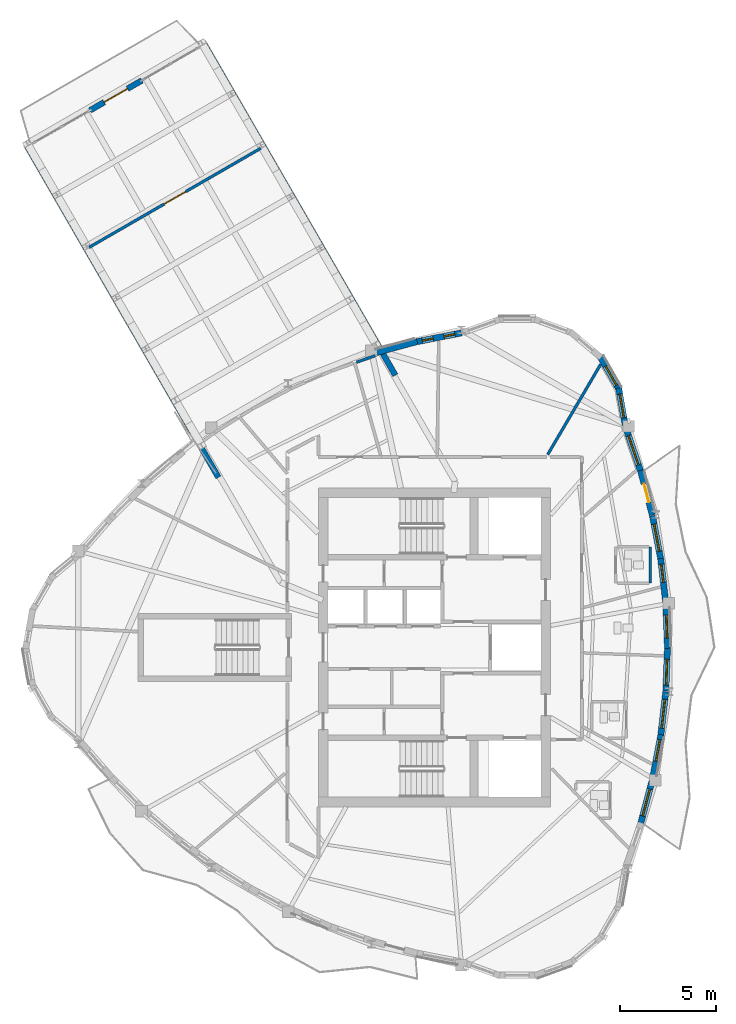
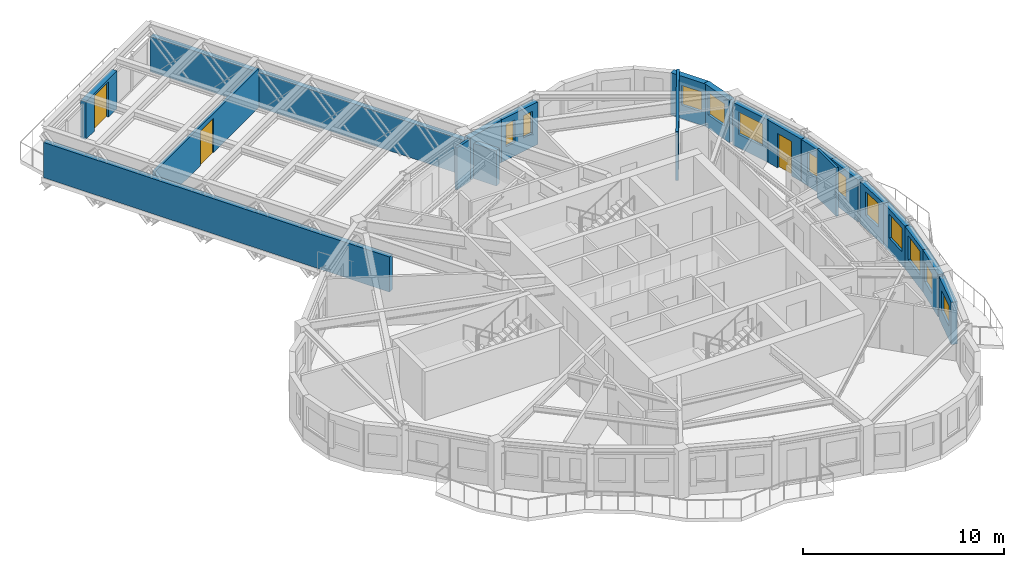
# One storey, part 9 of 14: 20 walls, 12 windows, 3 doors, 15 openings.
"""IFC4 building model written with IfcOpenShell, lengths in metres."""

from ifc_helpers import new_model, si_unit, direction, frame, frame_2d, origin, place, context, subcontext, project, spatial, rectangle, extrude, source, transform, mapped, material, layer, layer_set, type_object, element, fill, save


model = new_model("IFC4")

# Units and contexts
model_context = context("Model", 3, precision=1e-05, world=origin(), true_north=direction((0.0, 1.0)))
body_context = subcontext(model_context, "Body", "Model", "MODEL_VIEW")
ifc_project = project(units=[si_unit("LENGTHUNIT", "METRE"), si_unit("AREAUNIT", "SQUARE_METRE"), si_unit("VOLUMEUNIT", "CUBIC_METRE"), si_unit("PLANEANGLEUNIT", "RADIAN"), si_unit("MASSUNIT", "GRAM", prefix="KILO")], contexts=[model_context])

# Site, building, storey
site_placement = place(None, origin())
site = spatial("IfcSite", under=ifc_project, at=site_placement, CompositionType="ELEMENT")
building_placement = place(site_placement, origin())
building = spatial("IfcBuilding", under=site, at=building_placement, Name="Qafzar Sky-Pleat Residences", CompositionType="ELEMENT")
storey_placement = place(building_placement, frame((0.0, 0.0, 211.60009765625)))
storey = spatial("IfcBuildingStorey", under=building, at=storey_placement, Name="L63", CompositionType="ELEMENT", Elevation=211.60009765625)

# Wall, opening, door
ifc_material_1 = material(Name="Acoustic gypsum plasterboard partition", Category="gypsum")
ifc_layer_1 = layer(ifc_material_1, 0.14501953125)
ifc_layer_set_1 = layer_set([ifc_layer_1], Name="Acoustic gypsum plasterboard partition")
wall_type_1 = type_object("IfcWallType", Name="PART-UNIT-145", PredefinedType="PARTITIONING", material=ifc_layer_set_1)
wall_1_placement = place(storey_placement, frame((12.3583984375, 46.83837890625, 0.0), z_axis=(0.0, 0.0, 1.0), x_axis=(0.866032792327, 0.499987202451, 0.0)))
wall_1 = element("IfcWall", 1, at=wall_1_placement, inside=storey, type_object=wall_type_1, Name="L63 Partition Wall PART-L63-PW-001", PredefinedType="PARTITIONING", context=body_context, shape_type="SweptSolid", body=[
    extrude(rectangle(XDim=10.323974609375, YDim=0.14501953125, at=frame_2d((5.162109375, 0.0))), origin(), (0.0, 0.0, 1.0), 2.3828125),
])
opening_1_placement = place(wall_1_placement, frame((4.511474609375, 0.0, 0.0)))
opening_1 = element("IfcOpeningElement", 2, at=opening_1_placement, cuts=wall_1, Name="Opening ID-05", PredefinedType="OPENING", context=body_context, shape_type="SweptSolid", body=[
    extrude(rectangle(XDim=1.300048828125, YDim=2.10009765625, at=frame_2d((0.64990234375, 1.050048828125))), frame((0.0, 0.08251953125, 0.0), z_axis=(0.0, -1.0, 0.0), x_axis=(1.0, 0.0, 0.0)), (0.0, 0.0, 1.0), 0.1650390625),
])
ifc_material_2 = material(Name="Timber-faced fire door", Category="wood")
door_type_1 = type_object("IfcDoorType", Name="DR-LNG-1300", OperationType="DOUBLE_DOOR_SINGLE_SWING", PredefinedType="DOOR", material=ifc_material_2)
shared_shape_1 = source(origin(), body_context, "Body", "SweptSolid", [
    extrude(rectangle(XDim=1.300048828125, YDim=2.10009765625, at=frame_2d((0.64990234375, 1.050048828125))), frame((0.0, 0.02490234375, 0.0), z_axis=(0.0, -1.0, 0.0), x_axis=(1.0, 0.0, 0.0)), (0.0, 0.0, 1.0), 0.050048828125),
])
door_1_placement = place(opening_1_placement, origin())
door_1 = element("IfcDoor", 3, at=door_1_placement, inside=storey, type_object=door_type_1, Name="L63 Panorama Sky Lounge Door", OperationType="DOUBLE_DOOR_SINGLE_SWING", OverallHeight=2.10009765625, OverallWidth=1.300048828125, PredefinedType="DOOR", context=body_context, shape_type="MappedRepresentation", body=[
    mapped(shared_shape_1, transform((0.0, 0.0, 0.0), x_axis=(1.0, 0.0, 0.0), y_axis=(0.0, 1.0, 0.0), z_axis=(0.0, 0.0, 1.0), scale=1.0)),
])
fill(opening_1, door_1)

# Walls
wall_2_placement = place(storey_placement, frame((36.242431640625, 36.043701171875, 0.0), z_axis=(0.0, 0.0, 1.0), x_axis=(0.50599508157, 0.862536362959, 0.0)))
element("IfcWall", 4, at=wall_2_placement, inside=storey, type_object=wall_type_1, Name="L63 Partition Wall PART-L63-PW-021", PredefinedType="PARTITIONING", context=body_context, shape_type="SweptSolid", body=[
    extrude(rectangle(XDim=5.4560546875, YDim=0.14501953125, at=frame_2d((2.72802734375, 0.0))), origin(), (0.0, 0.0, 1.0), 2.9599609375),
])
wall_3_placement = place(storey_placement, frame((26.28662109375, 40.85595703125, 0.0), z_axis=(0.0, 0.0, 1.0), x_axis=(0.944089421658, 0.329689496214, 0.0)))
element("IfcWall", 5, at=wall_3_placement, inside=storey, type_object=wall_type_1, Name="L63 Partition Wall PART-L63-PW-048", PredefinedType="PARTITIONING", context=body_context, shape_type="SweptSolid", body=[
    extrude(rectangle(XDim=1.03662109375, YDim=0.14501953125, at=frame_2d((0.518310546875, 0.0))), origin(), (0.0, 0.0, 1.0), 2.56787109375),
])
ifc_material_3 = material(Name="Moisture-resistant gypsum partition", Category="gypsum")
ifc_layer_2 = layer(ifc_material_3, 0.1298828125)
ifc_layer_set_2 = layer_set([ifc_layer_2], Name="Moisture-resistant gypsum partition")
wall_type_2 = type_object("IfcWallType", Name="PART-WET-130", PredefinedType="PARTITIONING", material=ifc_layer_set_2)
wall_4_placement = place(storey_placement, frame((41.594970703125, 29.343994140625, 0.0), z_axis=(0.0, 0.0, 1.0), x_axis=(0.0, 1.0, 0.0)))
element("IfcWall", 6, at=wall_4_placement, inside=storey, type_object=wall_type_2, Name="L63 Partition Wall PART-L63-PW-033", PredefinedType="PARTITIONING", context=body_context, shape_type="SweptSolid", body=[
    extrude(rectangle(XDim=1.89990234375, YDim=0.1298828125, at=frame_2d((0.949951171875, 0.0))), origin(), (0.0, 0.0, 1.0), 2.9599609375),
])
ifc_material_4 = material(Name="Precast concrete C40/50 with honed Riyadh limestone", Category="concrete")
ifc_layer_3 = layer(ifc_material_4, 0.300048828125)
ifc_layer_set_3 = layer_set([ifc_layer_3], Name="Precast concrete C40/50 with honed Riyadh limestone")
wall_type_3 = type_object("IfcWallType", Name="WALL-EXT-300", PredefinedType="SOLIDWALL", material=ifc_layer_set_3)
for number, where, z_axis, x_axis, name in (
    (7, (19.0927734375, 34.858154296875, 0.0), (0.0, 0.0, 1.0), (-0.499994279776, 0.866028706332, 0.0), "L63 SB-5 Side Spandrel Wall L"),
    (8, (28.307373046875, 40.177978515625, 0.0), (0.0, 0.0, 1.0), (-0.500003467681, 0.866023401709, 0.0), "L63 SB-5 Side Spandrel Wall R"),
):
    element("IfcWall", number, at=place(storey_placement, frame(where, z_axis=z_axis, x_axis=x_axis)), inside=storey, type_object=wall_type_3, Name=name, PredefinedType="SOLIDWALL", context=body_context, shape_type="SweptSolid", body=[
        extrude(rectangle(XDim=19.928955078125, YDim=0.300048828125, at=frame_2d((9.96435546875, 0.0))), origin(), (0.0, 0.0, 1.0), 2.139892578125),
    ])

# Wall, opening, door
wall_5_placement = place(storey_placement, frame((12.399658203125, 53.97119140625, 0.0), z_axis=(0.0, 0.0, 1.0), x_axis=(0.866043546354, 0.499968574831, 0.0)))
wall_5 = element("IfcWall", 9, at=wall_5_placement, inside=storey, type_object=wall_type_3, Name="L63 SB-5 Prow Portal Wall", PredefinedType="SOLIDWALL", context=body_context, shape_type="SweptSolid", body=[
    extrude(rectangle(XDim=3.119873046875, YDim=0.300048828125, at=frame_2d((1.56005859375, 0.0))), origin(), (0.0, 0.0, 1.0), 2.2998046875),
])
opening_2_placement = place(wall_5_placement, frame((0.860107421875, 0.0, 0.0)))
opening_2 = element("IfcOpeningElement", 10, at=opening_2_placement, cuts=wall_5, Name="Opening ED-07", PredefinedType="OPENING", context=body_context, shape_type="SweptSolid", body=[
    extrude(rectangle(XDim=1.39990234375, YDim=2.14990234375, at=frame_2d((0.699951171875, 1.074951171875))), frame((0.0, 0.16015625, 0.0), z_axis=(0.0, -1.0, 0.0), x_axis=(1.0, 0.0, 0.0)), (0.0, 0.0, 1.0), 0.320068359375),
])
ifc_material_5 = material(Name="Glazed bronze aluminium door", Category="aluminium")
door_type_2 = type_object("IfcDoorType", Name="DR-SB-1400", OperationType="DOUBLE_DOOR_SINGLE_SWING", PredefinedType="DOOR", material=ifc_material_5)
shared_shape_2 = source(origin(), body_context, "Body", "SweptSolid", [
    extrude(rectangle(XDim=1.39990234375, YDim=2.14990234375, at=frame_2d((0.699951171875, 1.074951171875))), frame((0.0, 0.02490234375, 0.0), z_axis=(0.0, -1.0, 0.0), x_axis=(1.0, 0.0, 0.0)), (0.0, 0.0, 1.0), 0.050048828125),
])
door_2_placement = place(opening_2_placement, origin())
door_2 = element("IfcDoor", 11, at=door_2_placement, inside=storey, type_object=door_type_2, Name="L63 SB-5 Tip Balcony Glazed Door", OperationType="DOUBLE_DOOR_SINGLE_SWING", OverallHeight=2.14990234375, OverallWidth=1.39990234375, PredefinedType="DOOR", context=body_context, shape_type="MappedRepresentation", body=[
    mapped(shared_shape_2, transform((0.0, 0.0, 0.0), x_axis=(1.0, 0.0, 0.0), y_axis=(0.0, 1.0, 0.0), z_axis=(0.0, 0.0, 1.0), scale=1.0)),
])
fill(opening_2, door_2)

# Wall, opening, window
ifc_layer_4 = layer(ifc_material_4, 0.320068359375)
ifc_layer_set_4 = layer_set([ifc_layer_4], Name="Precast concrete C40/50 with honed Riyadh limestone")
wall_type_4 = type_object("IfcWallType", Name="WALL-EXT-320", PredefinedType="SOLIDWALL", material=ifc_layer_set_4)
wall_6_placement = place(storey_placement, frame((41.076171875, 16.786376953125, 0.0), z_axis=(0.0, 0.0, 1.0), x_axis=(0.257037260973, 0.966401493413, 0.0)))
wall_6 = element("IfcWall", 12, at=wall_6_placement, inside=storey, type_object=wall_type_4, Name="L63 Limestone Facade Wall 24", PredefinedType="SOLIDWALL", context=body_context, shape_type="SweptSolid", body=[
    extrude(rectangle(XDim=2.332763671875, YDim=0.320068359375, at=frame_2d((1.16650390625, 0.0))), origin(), (0.0, 0.0, 1.0), 2.579833984375),
])
opening_3_placement = place(wall_6_placement, frame((0.4462890625, 0.0, 0.820068359375)))
opening_3 = element("IfcOpeningElement", 13, at=opening_3_placement, cuts=wall_6, Name="Opening WN-15", PredefinedType="OPENING", context=body_context, shape_type="SweptSolid", body=[
    extrude(rectangle(XDim=1.449951171875, YDim=1.25, at=frame_2d((0.72509765625, 0.625))), frame((0.0, 0.169921875, 0.0), z_axis=(0.0, -1.0, 0.0), x_axis=(1.0, 0.0, 0.0)), (0.0, 0.0, 1.0), 0.340087890625),
])
ifc_material_6 = material(Name="Solar-control low-E glass in bronze aluminium frame", Category="glass")
window_type_1 = type_object("IfcWindowType", Name="WIN-15", PartitioningType="SINGLE_PANEL", PredefinedType="WINDOW", material=ifc_material_6)
shared_shape_3 = source(origin(), body_context, "Body", "SweptSolid", [
    extrude(rectangle(XDim=1.449951171875, YDim=1.25, at=frame_2d((0.72509765625, 0.625))), frame((0.0, 0.030029296875, 0.0), z_axis=(0.0, -1.0, 0.0), x_axis=(1.0, 0.0, 0.0)), (0.0, 0.0, 1.0), 0.06005859375),
])
window_1_placement = place(opening_3_placement, origin())
window_1 = element("IfcWindow", 14, at=window_1_placement, inside=storey, type_object=window_type_1, Name="L63 Punched Facade Window 24", OverallHeight=1.25, OverallWidth=1.449951171875, PartitioningType="SINGLE_PANEL", PredefinedType="WINDOW", context=body_context, shape_type="MappedRepresentation", body=[
    mapped(shared_shape_3, transform((0.0, 0.0, 0.0), x_axis=(1.0, 0.0, 0.0), y_axis=(0.0, 1.0, 0.0), z_axis=(0.0, 0.0, 1.0), scale=1.0)),
])
fill(opening_3, window_1)

wall_7_placement = place(storey_placement, frame((41.713134765625, 19.204833984375, 0.0), z_axis=(0.0, 0.0, 1.0), x_axis=(0.186691464441, 0.982418595663, 0.0)))
wall_7 = element("IfcWall", 15, at=wall_7_placement, inside=storey, type_object=wall_type_4, Name="L63 Limestone Facade Wall 25", PredefinedType="SOLIDWALL", context=body_context, shape_type="SweptSolid", body=[
    extrude(rectangle(XDim=2.293701171875, YDim=0.320068359375, at=frame_2d((1.14697265625, 0.0))), origin(), (0.0, 0.0, 1.0), 2.579833984375),
])
opening_4_placement = place(wall_7_placement, frame((0.880126953125, 0.0, 0.820068359375)))
opening_4 = element("IfcOpeningElement", 16, at=opening_4_placement, cuts=wall_7, Name="Opening WN-16", PredefinedType="OPENING", context=body_context, shape_type="SweptSolid", body=[
    extrude(rectangle(XDim=1.14990234375, YDim=1.199951171875, at=frame_2d((0.574951171875, 0.60009765625))), frame((0.0, 0.169921875, 0.0), z_axis=(0.0, -1.0, 0.0), x_axis=(1.0, 0.0, 0.0)), (0.0, 0.0, 1.0), 0.340087890625),
])
window_type_2 = type_object("IfcWindowType", Name="WIN-16", PartitioningType="SINGLE_PANEL", PredefinedType="WINDOW", material=ifc_material_6)
shared_shape_4 = source(origin(), body_context, "Body", "SweptSolid", [
    extrude(rectangle(XDim=1.14990234375, YDim=1.199951171875, at=frame_2d((0.574951171875, 0.60009765625))), frame((0.0, 0.030029296875, 0.0), z_axis=(0.0, -1.0, 0.0), x_axis=(1.0, 0.0, 0.0)), (0.0, 0.0, 1.0), 0.06005859375),
])
window_2_placement = place(opening_4_placement, origin())
window_2 = element("IfcWindow", 17, at=window_2_placement, inside=storey, type_object=window_type_2, Name="L63 Punched Facade Window 25-2", OverallHeight=1.199951171875, OverallWidth=1.14990234375, PartitioningType="SINGLE_PANEL", PredefinedType="WINDOW", context=body_context, shape_type="MappedRepresentation", body=[
    mapped(shared_shape_4, transform((0.0, 0.0, 0.0), x_axis=(1.0, 0.0, 0.0), y_axis=(0.0, 1.0, 0.0), z_axis=(0.0, 0.0, 1.0), scale=1.0)),
])
fill(opening_4, window_2)

wall_8_placement = place(storey_placement, frame((42.128173828125, 21.371337890625, 0.0), z_axis=(0.0, 0.0, 1.0), x_axis=(0.113319777802, 0.993558567956, 0.0)))
wall_8 = element("IfcWall", 18, at=wall_8_placement, inside=storey, type_object=wall_type_4, Name="L63 Limestone Facade Wall 26", PredefinedType="SOLIDWALL", context=body_context, shape_type="SweptSolid", body=[
    extrude(rectangle(XDim=2.337646484375, YDim=0.320068359375, at=frame_2d((1.1689453125, 0.0))), origin(), (0.0, 0.0, 1.0), 2.579833984375),
])
opening_5_placement = place(wall_8_placement, frame((0.4287109375, 0.0, 0.820068359375)))
opening_5 = element("IfcOpeningElement", 19, at=opening_5_placement, cuts=wall_8, Name="Opening WN-03", PredefinedType="OPENING", context=body_context, shape_type="SweptSolid", body=[
    extrude(rectangle(XDim=1.5, YDim=1.449951171875, at=frame_2d((0.75, 0.72509765625))), frame((0.0, 0.169921875, 0.0), z_axis=(0.0, -1.0, 0.0), x_axis=(1.0, 0.0, 0.0)), (0.0, 0.0, 1.0), 0.340087890625),
])
window_type_3 = type_object("IfcWindowType", Name="WIN-03", PartitioningType="DOUBLE_PANEL_VERTICAL", PredefinedType="WINDOW", material=ifc_material_6)
shared_shape_5 = source(origin(), body_context, "Body", "SweptSolid", [
    extrude(rectangle(XDim=1.5, YDim=1.449951171875, at=frame_2d((0.75, 0.72509765625))), frame((0.0, 0.030029296875, 0.0), z_axis=(0.0, -1.0, 0.0), x_axis=(1.0, 0.0, 0.0)), (0.0, 0.0, 1.0), 0.06005859375),
])
window_3_placement = place(opening_5_placement, origin())
window_3 = element("IfcWindow", 20, at=window_3_placement, inside=storey, type_object=window_type_3, Name="L63 Punched Facade Window 26", OverallHeight=1.449951171875, OverallWidth=1.5, PartitioningType="SINGLE_PANEL", PredefinedType="WINDOW", context=body_context, shape_type="MappedRepresentation", body=[
    mapped(shared_shape_5, transform((0.0, 0.0, 0.0), x_axis=(1.0, 0.0, 0.0), y_axis=(0.0, 1.0, 0.0), z_axis=(0.0, 0.0, 1.0), scale=1.0)),
])
fill(opening_5, window_3)

wall_9_placement = place(storey_placement, frame((42.39501953125, 23.7216796875, 0.0), z_axis=(0.0, 0.0, 1.0), x_axis=(0.038025668885, 0.999276762717, 0.0)))
wall_9 = element("IfcWall", 21, at=wall_9_placement, inside=storey, type_object=wall_type_4, Name="L63 Limestone Facade Wall 27", PredefinedType="SOLIDWALL", context=body_context, shape_type="SweptSolid", body=[
    extrude(rectangle(XDim=2.32421875, YDim=0.320068359375, at=frame_2d((1.162109375, 0.0))), origin(), (0.0, 0.0, 1.0), 2.579833984375),
])
opening_6_placement = place(wall_9_placement, frame((0.3125, 0.0, 0.820068359375)))
opening_6 = element("IfcOpeningElement", 22, at=opening_6_placement, cuts=wall_9, Name="Opening WN-04", PredefinedType="OPENING", context=body_context, shape_type="SweptSolid", body=[
    extrude(rectangle(XDim=1.35009765625, YDim=1.449951171875, at=frame_2d((0.675048828125, 0.72509765625))), frame((0.0, 0.169921875, 0.0), z_axis=(0.0, -1.0, 0.0), x_axis=(1.0, 0.0, 0.0)), (0.0, 0.0, 1.0), 0.340087890625),
])
window_type_4 = type_object("IfcWindowType", Name="WIN-04", PartitioningType="SINGLE_PANEL", PredefinedType="WINDOW", material=ifc_material_6)
shared_shape_6 = source(origin(), body_context, "Body", "SweptSolid", [
    extrude(rectangle(XDim=1.35009765625, YDim=1.449951171875, at=frame_2d((0.675048828125, 0.72509765625))), frame((0.0, 0.030029296875, 0.0), z_axis=(0.0, -1.0, 0.0), x_axis=(1.0, 0.0, 0.0)), (0.0, 0.0, 1.0), 0.06005859375),
])
window_4_placement = place(opening_6_placement, origin())
window_4 = element("IfcWindow", 23, at=window_4_placement, inside=storey, type_object=window_type_4, Name="L63 Punched Facade Window 27", OverallHeight=1.449951171875, OverallWidth=1.35009765625, PartitioningType="SINGLE_PANEL", PredefinedType="WINDOW", context=body_context, shape_type="MappedRepresentation", body=[
    mapped(shared_shape_6, transform((0.0, 0.0, 0.0), x_axis=(1.0, 0.0, 0.0), y_axis=(0.0, 1.0, 0.0), z_axis=(0.0, 0.0, 1.0), scale=1.0)),
])
fill(opening_6, window_4)

wall_10_placement = place(storey_placement, frame((42.4833984375, 25.955810546875, 0.0), z_axis=(0.0, 0.0, 1.0), x_axis=(-0.038013039165, 0.999277243238, 0.0)))
wall_10 = element("IfcWall", 24, at=wall_10_placement, inside=storey, type_object=wall_type_4, Name="L63 Limestone Facade Wall 28", PredefinedType="SOLIDWALL", context=body_context, shape_type="SweptSolid", body=[
    extrude(rectangle(XDim=2.25439453125, YDim=0.320068359375, at=frame_2d((1.127197265625, 0.0))), origin(), (0.0, 0.0, 1.0), 2.579833984375),
])
opening_7_placement = place(wall_10_placement, frame((0.531982421875, 0.0, 0.820068359375)))
opening_7 = element("IfcOpeningElement", 25, at=opening_7_placement, cuts=wall_10, Name="Opening WN-05", PredefinedType="OPENING", context=body_context, shape_type="SweptSolid", body=[
    extrude(rectangle(XDim=1.199951171875, YDim=1.449951171875, at=frame_2d((0.60009765625, 0.72509765625))), frame((0.0, 0.169921875, 0.0), z_axis=(0.0, -1.0, 0.0), x_axis=(1.0, 0.0, 0.0)), (0.0, 0.0, 1.0), 0.340087890625),
])
window_type_5 = type_object("IfcWindowType", Name="WIN-05", PartitioningType="SINGLE_PANEL", PredefinedType="WINDOW", material=ifc_material_6)
shared_shape_7 = source(origin(), body_context, "Body", "SweptSolid", [
    extrude(rectangle(XDim=1.199951171875, YDim=1.449951171875, at=frame_2d((0.60009765625, 0.72509765625))), frame((0.0, 0.030029296875, 0.0), z_axis=(0.0, -1.0, 0.0), x_axis=(1.0, 0.0, 0.0)), (0.0, 0.0, 1.0), 0.06005859375),
])
window_5_placement = place(opening_7_placement, origin())
window_5 = element("IfcWindow", 26, at=window_5_placement, inside=storey, type_object=window_type_5, Name="L63 Punched Facade Window 28", OverallHeight=1.449951171875, OverallWidth=1.199951171875, PartitioningType="SINGLE_PANEL", PredefinedType="WINDOW", context=body_context, shape_type="MappedRepresentation", body=[
    mapped(shared_shape_7, transform((0.0, 0.0, 0.0), x_axis=(1.0, 0.0, 0.0), y_axis=(0.0, 1.0, 0.0), z_axis=(0.0, 0.0, 1.0), scale=1.0)),
])
fill(opening_7, window_5)

wall_11_placement = place(storey_placement, frame((42.385009765625, 28.375732421875, 0.0), z_axis=(0.0, 0.0, 1.0), x_axis=(-0.113267221285, 0.993564560853, 0.0)))
wall_11 = element("IfcWall", 27, at=wall_11_placement, inside=storey, type_object=wall_type_4, Name="L63 Limestone Facade Wall 29", PredefinedType="SOLIDWALL", context=body_context, shape_type="SweptSolid", body=[
    extrude(rectangle(XDim=2.267578125, YDim=0.320068359375, at=frame_2d((1.1337890625, 0.0))), origin(), (0.0, 0.0, 1.0), 2.579833984375),
])
opening_8_placement = place(wall_11_placement, frame((1.02099609375, 0.0, 0.820068359375)))
opening_8 = element("IfcOpeningElement", 28, at=opening_8_placement, cuts=wall_11, Name="Opening WN-12", PredefinedType="OPENING", context=body_context, shape_type="SweptSolid", body=[
    extrude(rectangle(XDim=0.949951171875, YDim=1.35009765625, at=frame_2d((0.47509765625, 0.675048828125))), frame((0.0, 0.169921875, 0.0), z_axis=(0.0, -1.0, 0.0), x_axis=(1.0, 0.0, 0.0)), (0.0, 0.0, 1.0), 0.340087890625),
])
window_type_6 = type_object("IfcWindowType", Name="WIN-12", PartitioningType="SINGLE_PANEL", PredefinedType="WINDOW", material=ifc_material_6)
shared_shape_8 = source(origin(), body_context, "Body", "SweptSolid", [
    extrude(rectangle(XDim=0.949951171875, YDim=1.35009765625, at=frame_2d((0.47509765625, 0.675048828125))), frame((0.0, 0.030029296875, 0.0), z_axis=(0.0, -1.0, 0.0), x_axis=(1.0, 0.0, 0.0)), (0.0, 0.0, 1.0), 0.06005859375),
])
window_6_placement = place(opening_8_placement, origin())
window_6 = element("IfcWindow", 29, at=window_6_placement, inside=storey, type_object=window_type_6, Name="L63 Punched Facade Window 29-2", OverallHeight=1.35009765625, OverallWidth=0.949951171875, PartitioningType="SINGLE_PANEL", PredefinedType="WINDOW", context=body_context, shape_type="MappedRepresentation", body=[
    mapped(shared_shape_8, transform((0.0, 0.0, 0.0), x_axis=(1.0, 0.0, 0.0), y_axis=(0.0, 1.0, 0.0), z_axis=(0.0, 0.0, 1.0), scale=1.0)),
])
fill(opening_8, window_6)

wall_12_placement = place(storey_placement, frame((42.141357421875, 30.541748046875, 0.0), z_axis=(0.0, 0.0, 1.0), x_axis=(-0.186632734065, 0.982429754525, 0.0)))
wall_12 = element("IfcWall", 30, at=wall_12_placement, inside=storey, type_object=wall_type_4, Name="L63 Limestone Facade Wall 30", PredefinedType="SOLIDWALL", context=body_context, shape_type="SweptSolid", body=[
    extrude(rectangle(XDim=2.36376953125, YDim=0.320068359375, at=frame_2d((1.181884765625, 0.0))), origin(), (0.0, 0.0, 1.0), 2.579833984375),
])
opening_9_placement = place(wall_12_placement, frame((0.466796875, 0.0, 0.820068359375)))
opening_9 = element("IfcOpeningElement", 31, at=opening_9_placement, cuts=wall_12, Name="Opening WN-15", PredefinedType="OPENING", context=body_context, shape_type="SweptSolid", body=[
    extrude(rectangle(XDim=1.449951171875, YDim=1.25, at=frame_2d((0.72509765625, 0.625))), frame((0.0, 0.169921875, 0.0), z_axis=(0.0, -1.0, 0.0), x_axis=(1.0, 0.0, 0.0)), (0.0, 0.0, 1.0), 0.340087890625),
])
window_7_placement = place(opening_9_placement, origin())
window_7 = element("IfcWindow", 32, at=window_7_placement, inside=storey, type_object=window_type_1, Name="L63 Punched Facade Window 30", OverallHeight=1.25, OverallWidth=1.449951171875, PartitioningType="SINGLE_PANEL", PredefinedType="WINDOW", context=body_context, shape_type="MappedRepresentation", body=[
    mapped(shared_shape_3, transform((0.0, 0.0, 0.0), x_axis=(1.0, 0.0, 0.0), y_axis=(0.0, 1.0, 0.0), z_axis=(0.0, 0.0, 1.0), scale=1.0)),
])
fill(opening_9, window_7)

# Wall, opening, door
wall_13_placement = place(storey_placement, frame((41.69384765625, 32.8916015625, 0.0), z_axis=(0.0, 0.0, 1.0), x_axis=(-0.257068132003, 0.966393282007, 0.0)))
wall_13 = element("IfcWall", 33, at=wall_13_placement, inside=storey, type_object=wall_type_4, Name="L63 Limestone Facade Wall 31", PredefinedType="SOLIDWALL", context=body_context, shape_type="SweptSolid", body=[
    extrude(rectangle(XDim=2.40283203125, YDim=0.320068359375, at=frame_2d((1.201416015625, 0.0))), origin(), (0.0, 0.0, 1.0), 2.579833984375),
])
opening_10_placement = place(wall_13_placement, frame((0.69140625, 0.0, 0.0)))
opening_10 = element("IfcOpeningElement", 34, at=opening_10_placement, cuts=wall_13, Name="Opening ED-05", PredefinedType="OPENING", context=body_context, shape_type="SweptSolid", body=[
    extrude(rectangle(XDim=1.0, YDim=2.10009765625, at=frame_2d((0.5, 1.050048828125))), frame((0.0, 0.169921875, 0.0), z_axis=(0.0, -1.0, 0.0), x_axis=(1.0, 0.0, 0.0)), (0.0, 0.0, 1.0), 0.340087890625),
])
door_type_3 = type_object("IfcDoorType", Name="DR-BAL-1000", OperationType="NOTDEFINED", PredefinedType="DOOR", material=ifc_material_5)
shared_shape_9 = source(origin(), body_context, "Body", "SweptSolid", [
    extrude(rectangle(XDim=1.0, YDim=2.10009765625, at=frame_2d((0.5, 1.050048828125))), frame((0.0, 0.02490234375, 0.0), z_axis=(0.0, -1.0, 0.0), x_axis=(1.0, 0.0, 0.0)), (0.0, 0.0, 1.0), 0.050048828125),
])
door_3_placement = place(opening_10_placement, origin())
door_3 = element("IfcDoor", 35, at=door_3_placement, inside=storey, type_object=door_type_3, Name="L63 Glazed Balcony Door 1", OperationType="SINGLE_SWING_RIGHT", OverallHeight=2.10009765625, OverallWidth=1.0, PredefinedType="DOOR", context=body_context, shape_type="MappedRepresentation", body=[
    mapped(shared_shape_9, transform((0.0, 0.0, 0.0), x_axis=(1.0, 0.0, 0.0), y_axis=(0.0, 1.0, 0.0), z_axis=(0.0, 0.0, 1.0), scale=1.0)),
])
fill(opening_10, door_3)

# Wall, opening, window
wall_14_placement = place(storey_placement, frame((41.1015625, 35.13037109375, 0.0), z_axis=(0.0, 0.0, 1.0), x_axis=(-0.323685265908, 0.946164810503, 0.0)))
wall_14 = element("IfcWall", 36, at=wall_14_placement, inside=storey, type_object=wall_type_4, Name="L63 Limestone Facade Wall 32", PredefinedType="SOLIDWALL", context=body_context, shape_type="SweptSolid", body=[
    extrude(rectangle(XDim=2.383544921875, YDim=0.320068359375, at=frame_2d((1.19189453125, 0.0))), origin(), (0.0, 0.0, 1.0), 2.579833984375),
])
opening_11_placement = place(wall_14_placement, frame((0.408203125, 0.0, 0.820068359375)))
opening_11 = element("IfcOpeningElement", 37, at=opening_11_placement, cuts=wall_14, Name="Opening WN-09", PredefinedType="OPENING", context=body_context, shape_type="SweptSolid", body=[
    extrude(rectangle(XDim=1.60009765625, YDim=1.35009765625, at=frame_2d((0.800048828125, 0.675048828125))), frame((0.0, 0.169921875, 0.0), z_axis=(0.0, -1.0, 0.0), x_axis=(1.0, 0.0, 0.0)), (0.0, 0.0, 1.0), 0.340087890625),
])
window_type_7 = type_object("IfcWindowType", Name="WIN-09", PartitioningType="DOUBLE_PANEL_VERTICAL", PredefinedType="WINDOW", material=ifc_material_6)
shared_shape_10 = source(origin(), body_context, "Body", "SweptSolid", [
    extrude(rectangle(XDim=1.60009765625, YDim=1.35009765625, at=frame_2d((0.800048828125, 0.675048828125))), frame((0.0, 0.030029296875, 0.0), z_axis=(0.0, -1.0, 0.0), x_axis=(1.0, 0.0, 0.0)), (0.0, 0.0, 1.0), 0.06005859375),
])
window_8_placement = place(opening_11_placement, origin())
window_8 = element("IfcWindow", 38, at=window_8_placement, inside=storey, type_object=window_type_7, Name="L63 Punched Facade Window 32", OverallHeight=1.35009765625, OverallWidth=1.60009765625, PartitioningType="SINGLE_PANEL", PredefinedType="WINDOW", context=body_context, shape_type="MappedRepresentation", body=[
    mapped(shared_shape_10, transform((0.0, 0.0, 0.0), x_axis=(1.0, 0.0, 0.0), y_axis=(0.0, 1.0, 0.0), z_axis=(0.0, 0.0, 1.0), scale=1.0)),
])
fill(opening_11, window_8)

wall_15_placement = place(storey_placement, frame((40.279296875, 37.583251953125, 0.0), z_axis=(0.0, 0.0, 1.0), x_axis=(-0.173671780312, 0.984803590937, 0.0)))
wall_15 = element("IfcWall", 39, at=wall_15_placement, inside=storey, type_object=wall_type_4, Name="L63 Limestone Facade Wall 33", PredefinedType="SOLIDWALL", context=body_context, shape_type="SweptSolid", body=[
    extrude(rectangle(XDim=1.96240234375, YDim=0.320068359375, at=frame_2d((0.981201171875, 0.0))), origin(), (0.0, 0.0, 1.0), 2.579833984375),
])
opening_12_placement = place(wall_15_placement, frame((0.39111328125, 0.0, 0.820068359375)))
opening_12 = element("IfcOpeningElement", 40, at=opening_12_placement, cuts=wall_15, Name="Opening WN-11", PredefinedType="OPENING", context=body_context, shape_type="SweptSolid", body=[
    extrude(rectangle(XDim=1.25, YDim=1.35009765625, at=frame_2d((0.625, 0.675048828125))), frame((0.0, 0.169921875, 0.0), z_axis=(0.0, -1.0, 0.0), x_axis=(1.0, 0.0, 0.0)), (0.0, 0.0, 1.0), 0.340087890625),
])
window_type_8 = type_object("IfcWindowType", Name="WIN-11", PartitioningType="SINGLE_PANEL", PredefinedType="WINDOW", material=ifc_material_6)
shared_shape_11 = source(origin(), body_context, "Body", "SweptSolid", [
    extrude(rectangle(XDim=1.25, YDim=1.35009765625, at=frame_2d((0.625, 0.675048828125))), frame((0.0, 0.030029296875, 0.0), z_axis=(0.0, -1.0, 0.0), x_axis=(1.0, 0.0, 0.0)), (0.0, 0.0, 1.0), 0.06005859375),
])
window_9_placement = place(opening_12_placement, origin())
window_9 = element("IfcWindow", 41, at=window_9_placement, inside=storey, type_object=window_type_8, Name="L63 Punched Facade Window 33", OverallHeight=1.35009765625, OverallWidth=1.25, PartitioningType="SINGLE_PANEL", PredefinedType="WINDOW", context=body_context, shape_type="MappedRepresentation", body=[
    mapped(shared_shape_11, transform((0.0, 0.0, 0.0), x_axis=(1.0, 0.0, 0.0), y_axis=(0.0, 1.0, 0.0), z_axis=(0.0, 0.0, 1.0), scale=1.0)),
])
fill(opening_12, window_9)

wall_16_placement = place(storey_placement, frame((39.983154296875, 39.393310546875, 0.0), z_axis=(0.0, 0.0, 1.0), x_axis=(-0.499995423472, 0.866028046028, 0.0)))
wall_16 = element("IfcWall", 42, at=wall_16_placement, inside=storey, type_object=wall_type_4, Name="L63 Limestone Facade Wall 34", PredefinedType="SOLIDWALL", context=body_context, shape_type="SweptSolid", body=[
    extrude(rectangle(XDim=2.09033203125, YDim=0.320068359375, at=frame_2d((1.045166015625, 0.0))), origin(), (0.0, 0.0, 1.0), 2.579833984375),
])
opening_13_placement = place(wall_16_placement, frame((0.302978515625, 0.0, 0.820068359375)))
opening_13 = element("IfcOpeningElement", 43, at=opening_13_placement, cuts=wall_16, Name="Opening WN-16", PredefinedType="OPENING", context=body_context, shape_type="SweptSolid", body=[
    extrude(rectangle(XDim=1.14990234375, YDim=1.199951171875, at=frame_2d((0.574951171875, 0.60009765625))), frame((0.0, 0.169921875, 0.0), z_axis=(0.0, -1.0, 0.0), x_axis=(1.0, 0.0, 0.0)), (0.0, 0.0, 1.0), 0.340087890625),
])
window_10_placement = place(opening_13_placement, origin())
window_10 = element("IfcWindow", 44, at=window_10_placement, inside=storey, type_object=window_type_2, Name="L63 Punched Facade Window 34", OverallHeight=1.199951171875, OverallWidth=1.14990234375, PartitioningType="SINGLE_PANEL", PredefinedType="WINDOW", context=body_context, shape_type="MappedRepresentation", body=[
    mapped(shared_shape_4, transform((0.0, 0.0, 0.0), x_axis=(1.0, 0.0, 0.0), y_axis=(0.0, 1.0, 0.0), z_axis=(0.0, 0.0, 1.0), scale=1.0)),
])
fill(opening_13, window_10)

# Wall, openings, windows
wall_17_placement = place(storey_placement, frame((31.763671875, 42.384521484375, 0.0), z_axis=(0.0, 0.0, 1.0), x_axis=(-0.981229659911, -0.192842823335, 0.0)))
wall_17 = element("IfcWall", 45, at=wall_17_placement, inside=storey, type_object=wall_type_4, Name="L63 Limestone Facade Wall 39", PredefinedType="SOLIDWALL", context=body_context, shape_type="SweptSolid", body=[
    extrude(rectangle(XDim=2.45361328125, YDim=0.320068359375, at=frame_2d((1.226806640625, 0.0))), origin(), (0.0, 0.0, 1.0), 2.579833984375),
])
opening_14_placement = place(wall_17_placement, frame((0.361328125, 0.0, 0.820068359375)))
opening_14 = element("IfcOpeningElement", 46, at=opening_14_placement, cuts=wall_17, Name="Opening WN-17", PredefinedType="OPENING", context=body_context, shape_type="SweptSolid", body=[
    extrude(rectangle(XDim=0.580078125, YDim=1.35009765625, at=frame_2d((0.2900390625, 0.675048828125))), frame((0.0, 0.169921875, 0.0), z_axis=(0.0, -1.0, 0.0), x_axis=(1.0, 0.0, 0.0)), (0.0, 0.0, 1.0), 0.340087890625),
])
opening_15_placement = place(wall_17_placement, frame((1.518310546875, 0.0, 0.820068359375)))
opening_15 = element("IfcOpeningElement", 47, at=opening_15_placement, cuts=wall_17, Name="Opening WN-17", PredefinedType="OPENING", context=body_context, shape_type="SweptSolid", body=[
    extrude(rectangle(XDim=0.580078125, YDim=1.35009765625, at=frame_2d((0.2900390625, 0.675048828125))), frame((0.0, 0.169921875, 0.0), z_axis=(0.0, -1.0, 0.0), x_axis=(1.0, 0.0, 0.0)), (0.0, 0.0, 1.0), 0.340087890625),
])
window_type_9 = type_object("IfcWindowType", Name="WIN-17", PartitioningType="SINGLE_PANEL", PredefinedType="WINDOW", material=ifc_material_6)
shared_shape_12 = source(origin(), body_context, "Body", "SweptSolid", [
    extrude(rectangle(XDim=0.580078125, YDim=1.35009765625, at=frame_2d((0.2900390625, 0.675048828125))), frame((0.0, 0.030029296875, 0.0), z_axis=(0.0, -1.0, 0.0), x_axis=(1.0, 0.0, 0.0)), (0.0, 0.0, 1.0), 0.06005859375),
])
window_11_placement = place(opening_14_placement, origin())
window_11 = element("IfcWindow", 48, at=window_11_placement, inside=storey, type_object=window_type_9, Name="L63 Punched Facade Window 39", OverallHeight=1.35009765625, OverallWidth=0.580078125, PartitioningType="SINGLE_PANEL", PredefinedType="WINDOW", context=body_context, shape_type="MappedRepresentation", body=[
    mapped(shared_shape_12, transform((0.0, 0.0, 0.0), x_axis=(1.0, 0.0, 0.0), y_axis=(0.0, 1.0, 0.0), z_axis=(0.0, 0.0, 1.0), scale=1.0)),
])
fill(opening_14, window_11)
window_12_placement = place(opening_15_placement, origin())
window_12 = element("IfcWindow", 49, at=window_12_placement, inside=storey, type_object=window_type_9, Name="L63 Punched Facade Window 39-2", OverallHeight=1.35009765625, OverallWidth=0.580078125, PartitioningType="SINGLE_PANEL", PredefinedType="WINDOW", context=body_context, shape_type="MappedRepresentation", body=[
    mapped(shared_shape_12, transform((0.0, 0.0, 0.0), x_axis=(1.0, 0.0, 0.0), y_axis=(0.0, 1.0, 0.0), z_axis=(0.0, 0.0, 1.0), scale=1.0)),
])
fill(opening_15, window_12)

# Wall
wall_18_placement = place(storey_placement, frame((29.441162109375, 41.93115234375, 0.0), z_axis=(0.0, 0.0, 1.0), x_axis=(-0.965448832587, -0.260592693023, 0.0)))
element("IfcWall", 50, at=wall_18_placement, inside=storey, type_object=wall_type_4, Name="L63 Limestone Facade Wall 40", PredefinedType="SOLIDWALL", context=body_context, shape_type="SweptSolid", body=[
    extrude(rectangle(XDim=2.332763671875, YDim=0.320068359375, at=frame_2d((1.16650390625, 0.0))), origin(), (0.0, 0.0, 1.0), 2.579833984375),
])

save(model, "model.ifc")
